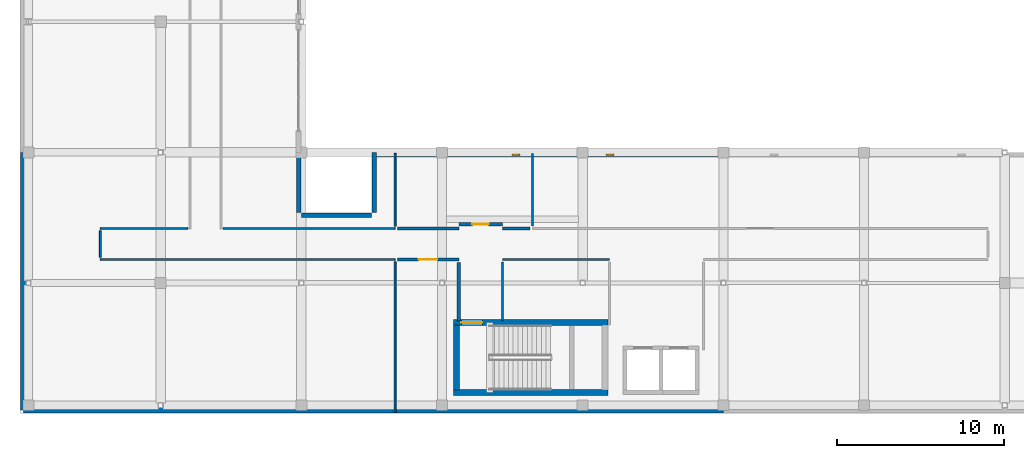
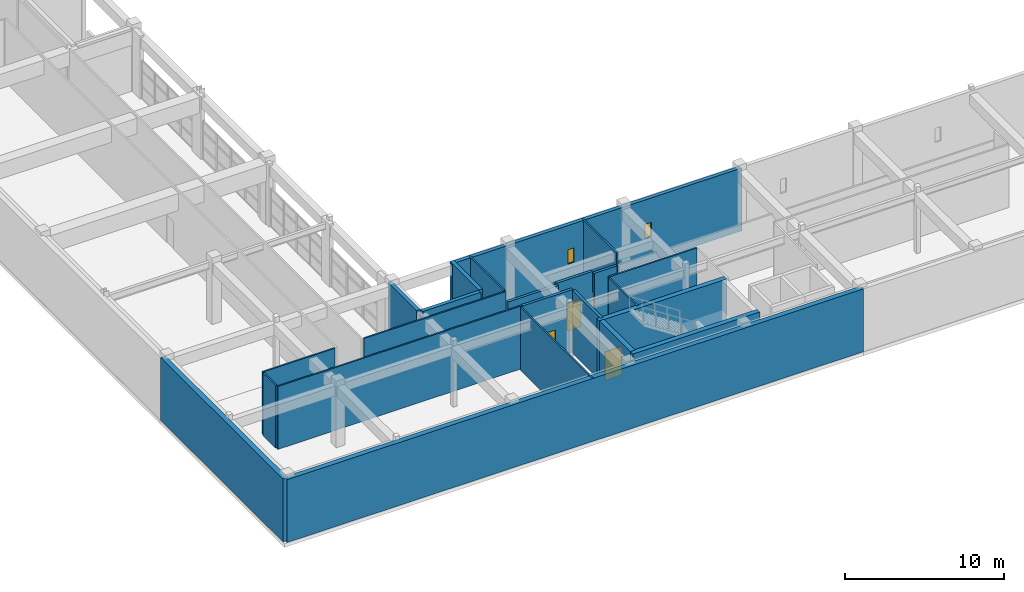
# One storey, part 83 of 103: 23 walls, 3 doors, 2 windows, 5 openings.
"""IFC4 building model written with IfcOpenShell, lengths in metres."""

from ifc_helpers import new_model, si_unit, direction, frame, frame_2d, origin, place, context, subcontext, project, spatial, rectangle, extrude, material, layer, layer_set, type_object, element, fill, save


model = new_model("IFC4")

# Units and contexts
model_context = context("Model", 3, precision=1e-05, world=origin(), true_north=direction((0.0, 1.0)))
body_context = subcontext(model_context, "Body", "Model", "MODEL_VIEW")
ifc_project = project(units=[si_unit("LENGTHUNIT", "METRE"), si_unit("AREAUNIT", "SQUARE_METRE"), si_unit("VOLUMEUNIT", "CUBIC_METRE"), si_unit("PLANEANGLEUNIT", "RADIAN"), si_unit("MASSUNIT", "GRAM", prefix="KILO")], contexts=[model_context])

# Site, building, storey
site_placement = place(None, origin())
site = spatial("IfcSite", under=ifc_project, at=site_placement, CompositionType="ELEMENT")
building_placement = place(site_placement, origin())
building = spatial("IfcBuilding", under=site, at=building_placement, Name="Quendrovan Civic Courthouse", CompositionType="ELEMENT")
storey_placement = place(building_placement, frame((0.0, 0.0, 15.300048828125)))
storey = spatial("IfcBuildingStorey", under=building, at=storey_placement, Name="L04", CompositionType="ELEMENT", Elevation=15.300048828125)

# Wall
ifc_material_1 = material(Name="Concrete C45/55", Category="concrete")
ifc_layer_1 = layer(ifc_material_1, 0.35009765625, Name="Concrete C45/55")
ifc_layer_set_1 = layer_set([ifc_layer_1], Name="Concrete C45/55")
wall_type_1 = type_object("IfcWallType", Name="WL-CORE-350", PredefinedType="SHEAR", material=ifc_layer_set_1)
wall_1_placement = place(storey_placement, frame((25.889892578125, 1.264892578125, 0.0), z_axis=(0.0, 0.0, 1.0), x_axis=(1.0, 0.0, 0.0)))
element("IfcWall", 1, at=wall_1_placement, inside=storey, type_object=wall_type_1, Name="L04 Core Shear Wall ST5-S", PredefinedType="SHEAR", context=body_context, shape_type="SweptSolid", body=[
    extrude(rectangle(XDim=9.22021484375, YDim=0.35009765625, at=frame_2d((4.610107421875, 0.0))), origin(), (0.0, 0.0, 1.0), 4.820068359375),
])

# Wall, opening, door
wall_2_placement = place(storey_placement, frame((35.110107421875, 5.43505859375, 0.0), z_axis=(0.0, 0.0, 1.0), x_axis=(-1.0, 0.0, 0.0)))
wall_2 = element("IfcWall", 2, at=wall_2_placement, inside=storey, type_object=wall_type_1, Name="L04 Core Shear Wall ST5-N", PredefinedType="SHEAR", context=body_context, shape_type="SweptSolid", body=[
    extrude(rectangle(XDim=9.22021484375, YDim=0.35009765625, at=frame_2d((4.610107421875, 0.0))), origin(), (0.0, 0.0, 1.0), 4.820068359375),
])
opening_1_placement = place(wall_2_placement, frame((7.5, 0.0, 0.0)))
opening_1 = element("IfcOpeningElement", 3, at=opening_1_placement, cuts=wall_2, Name="Opening DS-ST5-L04", PredefinedType="OPENING", context=body_context, shape_type="SweptSolid", body=[
    extrude(rectangle(XDim=1.25, YDim=2.199951171875, at=frame_2d((0.625, 1.10009765625))), frame((0.0, 0.18505859375, 0.0), z_axis=(0.0, -1.0, 0.0), x_axis=(1.0, 0.0, 0.0)), (0.0, 0.0, 1.0), 0.3701171875),
])
ifc_material_2 = material(Name="Painted galvanized hollow-metal steel", Category="steel")
door_type_1 = type_object("IfcDoorType", Name="DR-STAIR-1250", OperationType="NOTDEFINED", PredefinedType="DOOR", material=ifc_material_2)
door_1_placement = place(opening_1_placement, origin())
door_1 = element("IfcDoor", 4, at=door_1_placement, inside=storey, type_object=door_type_1, Name="L04 Exit Stair ST5 Fire Door", OperationType="SINGLE_SWING_RIGHT", OverallHeight=2.199951171875, OverallWidth=1.25, PredefinedType="DOOR", context=body_context, shape_type="SweptSolid", body=[
    extrude(rectangle(XDim=1.25, YDim=2.199951171875, at=frame_2d((0.625, 1.10009765625))), frame((0.0, 0.02490234375, 0.0), z_axis=(0.0, -1.0, 0.0), x_axis=(1.0, 0.0, 0.0)), (0.0, 0.0, 1.0), 0.050048828125),
])
fill(opening_1, door_1)

# Wall
wall_3_placement = place(storey_placement, frame((26.06494140625, 1.39990234375, 0.0), z_axis=(0.0, 0.0, 1.0), x_axis=(0.0, 1.0, 0.0)))
element("IfcWall", 5, at=wall_3_placement, inside=storey, type_object=wall_type_1, Name="L04 Core Shear Wall ST5-W", PredefinedType="SHEAR", context=body_context, shape_type="SweptSolid", body=[
    extrude(rectangle(XDim=3.900146484375, YDim=0.35009765625, at=frame_2d((1.9501953125, 0.0))), origin(), (0.0, 0.0, 1.0), 4.820068359375),
])

# Wall, opening, door
ifc_material_3 = material(Name="Concrete C40/50", Category="concrete")
ifc_layer_2 = layer(ifc_material_3, 0.199951171875, Name="Concrete C40/50")
ifc_layer_set_2 = layer_set([ifc_layer_2], Name="Concrete C40/50")
wall_type_2 = type_object("IfcWallType", Name="WL-CUST-200", PredefinedType="PARTITIONING", material=ifc_layer_set_2)
wall_4_placement = place(storey_placement, frame((22.534912109375, 9.199951171875, 0.0), z_axis=(0.0, 0.0, 1.0), x_axis=(1.0, 0.0, 0.0)))
wall_4 = element("IfcWall", 6, at=wall_4_placement, inside=storey, type_object=wall_type_2, Name="L04 Juvenile and Family Custody Holding Suite Partition 0610", PredefinedType="PARTITIONING", context=body_context, shape_type="SweptSolid", body=[
    extrude(rectangle(XDim=3.6650390625, YDim=0.199951171875, at=frame_2d((1.83251953125, 0.0))), origin(), (0.0, 0.0, 1.0), 4.820068359375),
])
opening_2_placement = place(wall_4_placement, frame((1.2724609375, 0.0, 0.0)))
opening_2 = element("IfcOpeningElement", 7, at=opening_2_placement, cuts=wall_4, Name="Opening D-L04-078", PredefinedType="OPENING", context=body_context, shape_type="SweptSolid", body=[
    extrude(rectangle(XDim=1.1201171875, YDim=2.14990234375, at=frame_2d((0.56005859375, 1.074951171875))), frame((0.0, 0.10986328125, 0.0), z_axis=(0.0, -1.0, 0.0), x_axis=(1.0, 0.0, 0.0)), (0.0, 0.0, 1.0), 0.219970703125),
])
ifc_material_4 = material(Name="Heavy-gauge security steel door", Category="steel")
door_type_2 = type_object("IfcDoorType", Name="DR-CUST-1120", OperationType="NOTDEFINED", PredefinedType="DOOR", material=ifc_material_4)
door_2_placement = place(opening_2_placement, origin())
door_2 = element("IfcDoor", 8, at=door_2_placement, inside=storey, type_object=door_type_2, Name="L04 Juvenile and Family Custody Holding Suite Door D-L04-078", OperationType="SINGLE_SWING_LEFT", OverallHeight=2.14990234375, OverallWidth=1.1201171875, PredefinedType="DOOR", context=body_context, shape_type="SweptSolid", body=[
    extrude(rectangle(XDim=1.1201171875, YDim=2.14990234375, at=frame_2d((0.56005859375, 1.074951171875))), frame((0.0, 0.02490234375, 0.0), z_axis=(0.0, -1.0, 0.0), x_axis=(1.0, 0.0, 0.0)), (0.0, 0.0, 1.0), 0.050048828125),
])
fill(opening_2, door_2)

# Walls
wall_5_placement = place(storey_placement, frame((26.199951171875, 11.050048828125, 0.0), z_axis=(0.0, 0.0, 1.0), x_axis=(-1.0, 0.0, 0.0)))
element("IfcWall", 9, at=wall_5_placement, inside=storey, type_object=wall_type_2, Name="L04 Custody Holding Cell Partition 0611", PredefinedType="PARTITIONING", context=body_context, shape_type="SweptSolid", body=[
    extrude(rectangle(XDim=3.6650390625, YDim=0.199951171875, at=frame_2d((1.83251953125, 0.0))), origin(), (0.0, 0.0, 1.0), 4.0),
])
wall_6_placement = place(storey_placement, frame((26.199951171875, 9.02001953125, 0.0), z_axis=(0.0, 0.0, 1.0), x_axis=(0.0, -1.0, 0.0)))
element("IfcWall", 10, at=wall_6_placement, inside=storey, type_object=wall_type_2, Name="L04 Juvenile and Family Custody Holding Suite Partition 0612", PredefinedType="PARTITIONING", context=body_context, shape_type="SweptSolid", body=[
    extrude(rectangle(XDim=3.5, YDim=0.199951171875, at=frame_2d((1.75, 0.0))), origin(), (0.0, 0.0, 1.0), 4.820068359375),
])

# Wall, opening, door
wall_7_placement = place(storey_placement, frame((28.800048828125, 11.300048828125, 0.0), z_axis=(0.0, 0.0, 1.0), x_axis=(-1.0, 0.0, 0.0)))
wall_7 = element("IfcWall", 11, at=wall_7_placement, inside=storey, type_object=wall_type_2, Name="L04 Custody Holding Cell Partition 0631", PredefinedType="PARTITIONING", context=body_context, shape_type="SweptSolid", body=[
    extrude(rectangle(XDim=2.60009765625, YDim=0.199951171875, at=frame_2d((1.300048828125, 0.0))), origin(), (0.0, 0.0, 1.0), 4.0),
])
opening_3_placement = place(wall_7_placement, frame((0.81005859375, 0.0, 0.0)))
opening_3 = element("IfcOpeningElement", 12, at=opening_3_placement, cuts=wall_7, Name="Opening D-L04-080", PredefinedType="OPENING", context=body_context, shape_type="SweptSolid", body=[
    extrude(rectangle(XDim=0.97998046875, YDim=2.1201171875, at=frame_2d((0.489990234375, 1.06005859375))), frame((0.0, 0.10986328125, 0.0), z_axis=(0.0, -1.0, 0.0), x_axis=(1.0, 0.0, 0.0)), (0.0, 0.0, 1.0), 0.219970703125),
])
door_type_3 = type_object("IfcDoorType", Name="DR-CELL-980", OperationType="NOTDEFINED", PredefinedType="DOOR", material=ifc_material_4)
door_3_placement = place(opening_3_placement, origin())
door_3 = element("IfcDoor", 13, at=door_3_placement, inside=storey, type_object=door_type_3, Name="L04 Custody Holding Cell Door D-L04-080", OperationType="SINGLE_SWING_LEFT", OverallHeight=2.1201171875, OverallWidth=0.97998046875, PredefinedType="DOOR", context=body_context, shape_type="SweptSolid", body=[
    extrude(rectangle(XDim=0.97998046875, YDim=2.1201171875, at=frame_2d((0.489990234375, 1.06005859375))), frame((0.0, 0.02490234375, 0.0), z_axis=(0.0, -1.0, 0.0), x_axis=(1.0, 0.0, 0.0)), (0.0, 0.0, 1.0), 0.050048828125),
])
fill(opening_3, door_3)

# Walls
wall_8_placement = place(storey_placement, frame((30.449951171875, 11.050048828125, 0.0), z_axis=(0.0, 0.0, 1.0), x_axis=(-1.0, 0.0, 0.0)))
element("IfcWall", 14, at=wall_8_placement, inside=storey, type_object=wall_type_2, Name="L04 Custody Holding Cell Partition 0652", PredefinedType="PARTITIONING", context=body_context, shape_type="SweptSolid", body=[
    extrude(rectangle(XDim=1.64990234375, YDim=0.199951171875, at=frame_2d((0.824951171875, 0.0))), origin(), (0.0, 0.0, 1.0), 4.0),
])
ifc_layer_3 = layer(ifc_material_3, 0.27001953125, Name="Concrete C40/50")
ifc_layer_set_3 = layer_set([ifc_layer_3], Name="Concrete C40/50")
wall_type_3 = type_object("IfcWallType", Name="WL-EXT-RC270", PredefinedType="SOLIDWALL", material=ifc_layer_set_3)
wall_9_placement = place(storey_placement, frame((16.64501953125, 15.60009765625, 0.0), z_axis=(0.0, 0.0, 1.0), x_axis=(0.0, -1.0, 0.0)))
element("IfcWall", 15, at=wall_9_placement, inside=storey, type_object=wall_type_3, Name="L04 Exterior Precast Concrete Wall 349", PredefinedType="SOLIDWALL", context=body_context, shape_type="SweptSolid", body=[
    extrude(rectangle(XDim=3.60009765625, YDim=0.27001953125, at=frame_2d((1.800048828125, 0.0))), origin(), (0.0, 0.0, 1.0), 4.820068359375),
])
wall_10_placement = place(storey_placement, frame((16.800048828125, 11.844970703125, 0.0), z_axis=(0.0, 0.0, 1.0), x_axis=(1.0, 0.0, 0.0)))
element("IfcWall", 16, at=wall_10_placement, inside=storey, type_object=wall_type_3, Name="L04 Exterior Precast Concrete Wall 350", PredefinedType="SOLIDWALL", context=body_context, shape_type="SweptSolid", body=[
    extrude(rectangle(XDim=4.199951171875, YDim=0.27001953125, at=frame_2d((2.10009765625, 0.0))), origin(), (0.0, 0.0, 1.0), 4.820068359375),
])
wall_11_placement = place(storey_placement, frame((21.155029296875, 12.0, 0.0), z_axis=(0.0, 0.0, 1.0), x_axis=(0.0, 1.0, 0.0)))
element("IfcWall", 17, at=wall_11_placement, inside=storey, type_object=wall_type_3, Name="L04 Exterior Precast Concrete Wall 351", PredefinedType="SOLIDWALL", context=body_context, shape_type="SweptSolid", body=[
    extrude(rectangle(XDim=3.60009765625, YDim=0.27001953125, at=frame_2d((1.800048828125, 0.0))), origin(), (0.0, 0.0, 1.0), 4.820068359375),
])

# Wall, openings, windows
wall_12_placement = place(storey_placement, frame((21.0, 15.445068359375, 0.0), z_axis=(0.0, 0.0, 1.0), x_axis=(1.0, 0.0, 0.0)))
wall_12 = element("IfcWall", 18, at=wall_12_placement, inside=storey, type_object=wall_type_3, Name="L04 Exterior Precast Concrete Wall 352", PredefinedType="SOLIDWALL", context=body_context, shape_type="SweptSolid", body=[
    extrude(rectangle(XDim=21.0, YDim=0.27001953125, at=frame_2d((10.5, 0.0))), origin(), (0.0, 0.0, 1.0), 4.820068359375),
])
opening_4_placement = place(wall_12_placement, frame((8.39990234375, 0.0, 1.85009765625)))
opening_4 = element("IfcOpeningElement", 19, at=opening_4_placement, cuts=wall_12, Name="Opening WS01", PredefinedType="OPENING", context=body_context, shape_type="SweptSolid", body=[
    extrude(rectangle(XDim=0.449951171875, YDim=1.10009765625, at=frame_2d((0.22509765625, 0.550048828125))), frame((0.0, 0.14501953125, 0.0), z_axis=(0.0, -1.0, 0.0), x_axis=(1.0, 0.0, 0.0)), (0.0, 0.0, 1.0), 0.2900390625),
])
opening_5_placement = place(wall_12_placement, frame((14.0, 0.0, 1.85009765625)))
opening_5 = element("IfcOpeningElement", 20, at=opening_5_placement, cuts=wall_12, Name="Opening WS01", PredefinedType="OPENING", context=body_context, shape_type="SweptSolid", body=[
    extrude(rectangle(XDim=0.449951171875, YDim=1.10009765625, at=frame_2d((0.22509765625, 0.550048828125))), frame((0.0, 0.14501953125, 0.0), z_axis=(0.0, -1.0, 0.0), x_axis=(1.0, 0.0, 0.0)), (0.0, 0.0, 1.0), 0.2900390625),
])
ifc_material_5 = material(Name="Polycarbonate laminated security glass", Category="glass")
window_type = type_object("IfcWindowType", Name="WIN-SEC-SLOT", PartitioningType="SINGLE_PANEL", PredefinedType="WINDOW", material=ifc_material_5)
window_1_placement = place(opening_4_placement, origin())
window_1 = element("IfcWindow", 21, at=window_1_placement, inside=storey, type_object=window_type, Name="L04 Custody High-Sill Security Window 0019", OverallHeight=1.10009765625, OverallWidth=0.449951171875, PartitioningType="SINGLE_PANEL", PredefinedType="WINDOW", context=body_context, shape_type="SweptSolid", body=[
    extrude(rectangle(XDim=0.449951171875, YDim=1.10009765625, at=frame_2d((0.22509765625, 0.550048828125))), frame((0.0, 0.030029296875, 0.0), z_axis=(0.0, -1.0, 0.0), x_axis=(1.0, 0.0, 0.0)), (0.0, 0.0, 1.0), 0.06005859375),
])
fill(opening_4, window_1)
window_2_placement = place(opening_5_placement, origin())
window_2 = element("IfcWindow", 22, at=window_2_placement, inside=storey, type_object=window_type, Name="L04 Custody High-Sill Security Window 0020", OverallHeight=1.10009765625, OverallWidth=0.449951171875, PartitioningType="SINGLE_PANEL", PredefinedType="WINDOW", context=body_context, shape_type="SweptSolid", body=[
    extrude(rectangle(XDim=0.449951171875, YDim=1.10009765625, at=frame_2d((0.22509765625, 0.550048828125))), frame((0.0, 0.030029296875, 0.0), z_axis=(0.0, -1.0, 0.0), x_axis=(1.0, 0.0, 0.0)), (0.0, 0.0, 1.0), 0.06005859375),
])
fill(opening_5, window_2)

# Walls
ifc_material_6 = material(Name="Acoustic glazed-head stud partition")
ifc_layer_4 = layer(ifc_material_6, 0.1201171875, Name="Acoustic glazed-head stud partition")
ifc_layer_set_4 = layer_set([ifc_layer_4], Name="Acoustic glazed-head stud partition")
wall_type_4 = type_object("IfcWallType", Name="WL-LIB-120", PredefinedType="PARTITIONING", material=ifc_layer_set_4)
wall_13_placement = place(storey_placement, frame((28.800048828125, 9.199951171875, 0.0), z_axis=(0.0, 0.0, 1.0), x_axis=(1.0, 0.0, 0.0)))
element("IfcWall", 23, at=wall_13_placement, inside=storey, type_object=wall_type_4, Name="L04 Law Library Open Book Stacks Partition 0588", PredefinedType="PARTITIONING", context=body_context, shape_type="SweptSolid", body=[
    extrude(rectangle(XDim=6.39990234375, YDim=0.1201171875, at=frame_2d((3.199951171875, 0.0))), origin(), (0.0, 0.0, 1.0), 4.820068359375),
])
wall_14_placement = place(storey_placement, frame((30.590087890625, 11.18994140625, 0.0), z_axis=(0.0, 0.0, 1.0), x_axis=(0.0, 1.0, 0.0)))
element("IfcWall", 24, at=wall_14_placement, inside=storey, type_object=wall_type_4, Name="L04 Law Library Open Book Stacks Partition 0601", PredefinedType="PARTITIONING", context=body_context, shape_type="SweptSolid", body=[
    extrude(rectangle(XDim=4.35009765625, YDim=0.1201171875, at=frame_2d((2.175048828125, 0.0))), origin(), (0.0, 0.0, 1.0), 4.820068359375),
])
wall_15_placement = place(storey_placement, frame((28.800048828125, 5.52001953125, 0.0), z_axis=(0.0, 0.0, 1.0), x_axis=(0.0, 1.0, 0.0)))
element("IfcWall", 25, at=wall_15_placement, inside=storey, type_object=wall_type_4, Name="L04 Law Library Open Book Stacks Partition 0613", PredefinedType="PARTITIONING", context=body_context, shape_type="SweptSolid", body=[
    extrude(rectangle(XDim=3.5400390625, YDim=0.1201171875, at=frame_2d((1.77001953125, 0.0))), origin(), (0.0, 0.0, 1.0), 4.820068359375),
])
ifc_layer_5 = layer(ifc_material_3, 0.360107421875, Name="Concrete C40/50")
ifc_layer_set_5 = layer_set([ifc_layer_5], Name="Concrete C40/50")
wall_type_5 = type_object("IfcWallType", Name="WL-PARTY-360", PredefinedType="SOLIDWALL", material=ifc_layer_set_5)
wall_16_placement = place(storey_placement, frame((42.0, 0.2099609375, 0.0), z_axis=(0.0, 0.0, 1.0), x_axis=(-1.0, 0.0, 0.0)))
element("IfcWall", 26, at=wall_16_placement, inside=storey, type_object=wall_type_5, Name="L04 Fire-Rated Boundary Party Wall 358", PredefinedType="SOLIDWALL", context=body_context, shape_type="SweptSolid", body=[
    extrude(rectangle(XDim=41.7900390625, YDim=0.360107421875, at=frame_2d((20.89501953125, 0.0))), origin(), (0.0, 0.0, 1.0), 4.820068359375),
])
wall_17_placement = place(storey_placement, frame((0.2099609375, 0.2099609375, 0.0), z_axis=(0.0, 0.0, 1.0), x_axis=(0.0, 1.0, 0.0)))
element("IfcWall", 27, at=wall_17_placement, inside=storey, type_object=wall_type_5, Name="L04 Fire-Rated Boundary Party Wall 359", PredefinedType="SOLIDWALL", context=body_context, shape_type="SweptSolid", body=[
    extrude(rectangle(XDim=15.39013671875, YDim=0.360107421875, at=frame_2d((7.695068359375, 0.0))), origin(), (0.0, 0.0, 1.0), 4.820068359375),
])
ifc_material_7 = material(Name="Moisture-resistant tile-backer partition")
ifc_layer_6 = layer(ifc_material_7, 0.110107421875, Name="Moisture-resistant tile-backer partition")
ifc_layer_set_6 = layer_set([ifc_layer_6], Name="Moisture-resistant tile-backer partition")
wall_type_6 = type_object("IfcWallType", Name="WL-WET-110", PredefinedType="PARTITIONING", material=ifc_layer_set_6)
wall_18_placement = place(storey_placement, frame((4.800048828125, 9.199951171875, 0.0), z_axis=(0.0, 0.0, 1.0), x_axis=(1.0, 0.0, 0.0)))
element("IfcWall", 28, at=wall_18_placement, inside=storey, type_object=wall_type_6, Name="L04 Judicial Law Clerks Office Partition 0554", PredefinedType="PARTITIONING", context=body_context, shape_type="SweptSolid", body=[
    extrude(rectangle(XDim=17.599853515625, YDim=0.110107421875, at=frame_2d((8.7998046875, 0.0))), origin(), (0.0, 0.0, 1.0), 4.820068359375),
])
wall_19_placement = place(storey_placement, frame((22.39990234375, 11.050048828125, 0.0), z_axis=(0.0, 0.0, 1.0), x_axis=(-1.0, 0.0, 0.0)))
element("IfcWall", 29, at=wall_19_placement, inside=storey, type_object=wall_type_6, Name="L04 Judicial Law Clerks Office Partition 0575", PredefinedType="PARTITIONING", context=body_context, shape_type="SweptSolid", body=[
    extrude(rectangle(XDim=10.264892578125, YDim=0.110107421875, at=frame_2d((5.13232421875, 0.0))), origin(), (0.0, 0.0, 1.0), 4.820068359375),
])
wall_20_placement = place(storey_placement, frame((22.39990234375, 9.06494140625, 0.0), z_axis=(0.0, 0.0, 1.0), x_axis=(0.0, -1.0, 0.0)))
element("IfcWall", 30, at=wall_20_placement, inside=storey, type_object=wall_type_6, Name="L04 Judicial Law Clerks Office Partition 0577", PredefinedType="PARTITIONING", context=body_context, shape_type="SweptSolid", body=[
    extrude(rectangle(XDim=9.0048828125, YDim=0.110107421875, at=frame_2d((4.50244140625, 0.0))), origin(), (0.0, 0.0, 1.0), 4.820068359375),
])
wall_21_placement = place(storey_placement, frame((10.014892578125, 11.050048828125, 0.0), z_axis=(0.0, 0.0, 1.0), x_axis=(-1.0, 0.0, 0.0)))
element("IfcWall", 31, at=wall_21_placement, inside=storey, type_object=wall_type_6, Name="L04 Judicial Law Clerks Office Partition 0595", PredefinedType="PARTITIONING", context=body_context, shape_type="SweptSolid", body=[
    extrude(rectangle(XDim=5.21484375, YDim=0.110107421875, at=frame_2d((2.607421875, 0.0))), origin(), (0.0, 0.0, 1.0), 4.820068359375),
])
wall_22_placement = place(storey_placement, frame((22.39990234375, 15.5400390625, 0.0), z_axis=(0.0, 0.0, 1.0), x_axis=(0.0, -1.0, 0.0)))
element("IfcWall", 32, at=wall_22_placement, inside=storey, type_object=wall_type_6, Name="L04 Judicial Law Clerks Office Partition 0600", PredefinedType="PARTITIONING", context=body_context, shape_type="SweptSolid", body=[
    extrude(rectangle(XDim=4.35498046875, YDim=0.110107421875, at=frame_2d((2.177490234375, 0.0))), origin(), (0.0, 0.0, 1.0), 4.820068359375),
])
wall_23_placement = place(storey_placement, frame((4.800048828125, 10.9150390625, 0.0), z_axis=(0.0, 0.0, 1.0), x_axis=(0.0, -1.0, 0.0)))
element("IfcWall", 33, at=wall_23_placement, inside=storey, type_object=wall_type_6, Name="L04 Judicial Law Clerks Office Partition 0646", PredefinedType="PARTITIONING", context=body_context, shape_type="SweptSolid", body=[
    extrude(rectangle(XDim=1.580078125, YDim=0.110107421875, at=frame_2d((0.7900390625, 0.0))), origin(), (0.0, 0.0, 1.0), 4.820068359375),
])

save(model, "model.ifc")
